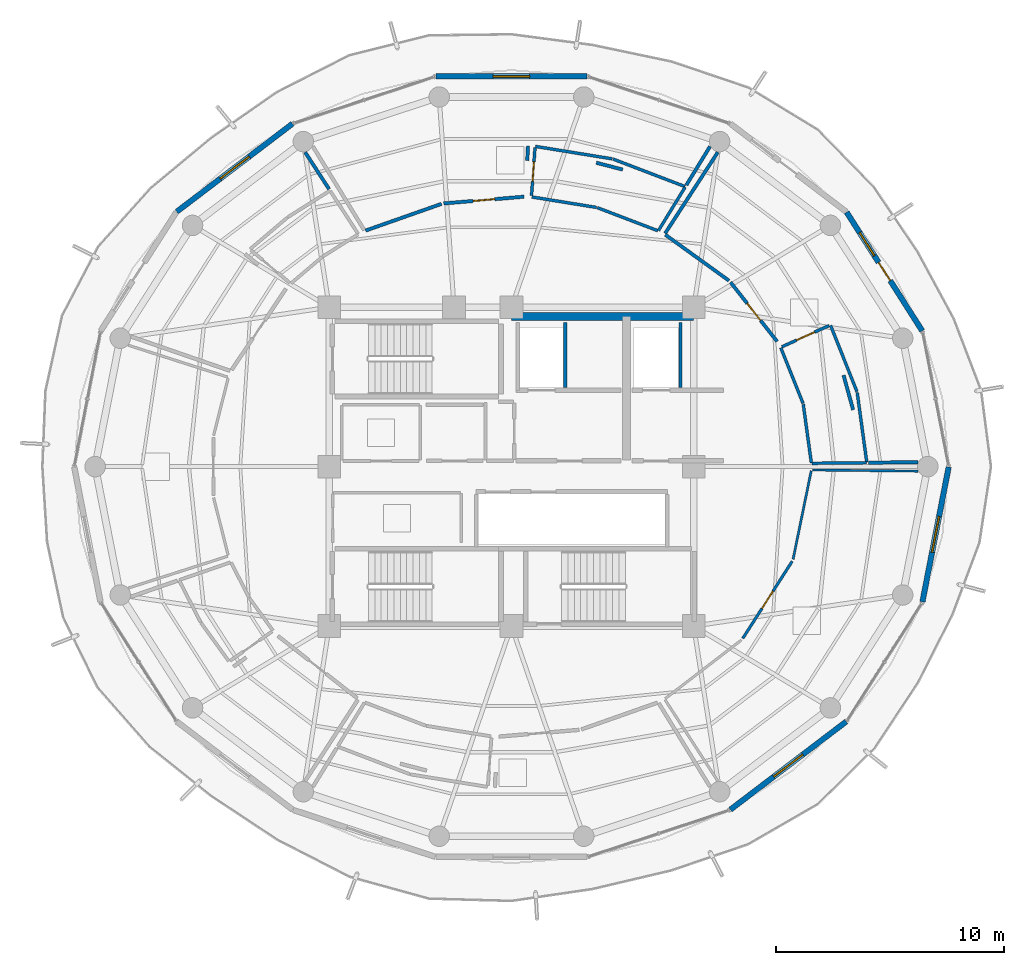
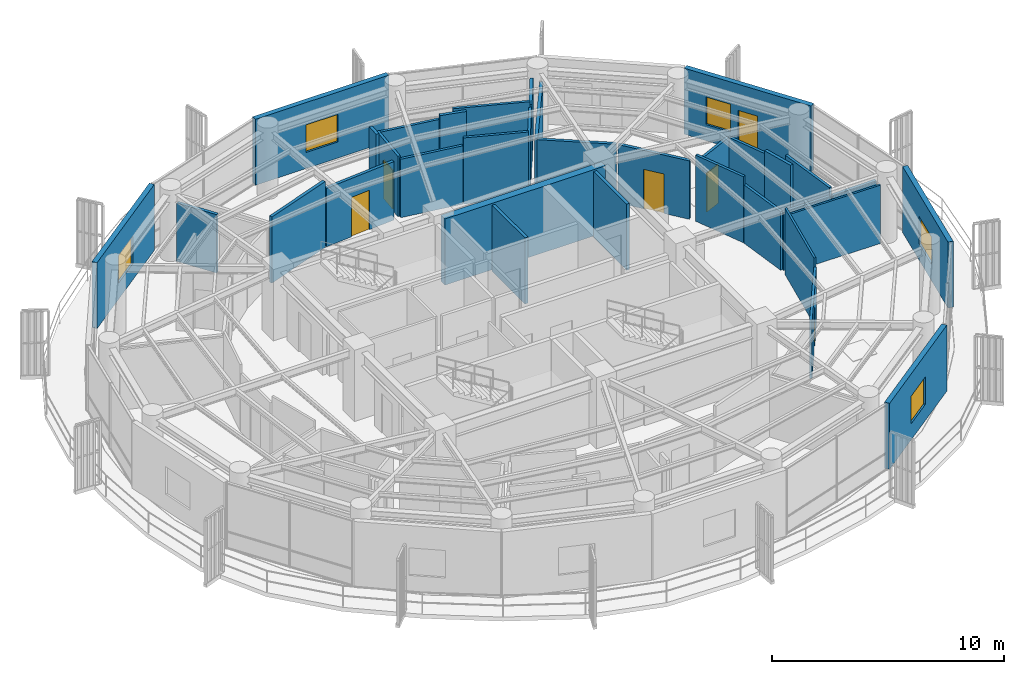
# One storey, part 18 of 23: 34 walls, 6 doors, 5 windows, 11 openings.
"""IFC4 building model written with IfcOpenShell, lengths in metres."""

from ifc_helpers import new_model, si_unit, direction, frame, frame_2d, origin, place, context, subcontext, project, spatial, rectangle, extrude, material, layer, layer_set, type_object, element, fill, save


model = new_model("IFC4")

# Units and contexts
model_context = context("Model", 3, precision=1e-05, world=origin(), true_north=direction((0.0, 1.0)))
body_context = subcontext(model_context, "Body", "Model", "MODEL_VIEW")
ifc_project = project(units=[si_unit("LENGTHUNIT", "METRE"), si_unit("AREAUNIT", "SQUARE_METRE"), si_unit("VOLUMEUNIT", "CUBIC_METRE"), si_unit("PLANEANGLEUNIT", "RADIAN"), si_unit("MASSUNIT", "GRAM", prefix="KILO")], contexts=[model_context])

# Site, building, storey
site_placement = place(None, origin())
site = spatial("IfcSite", under=ifc_project, at=site_placement, CompositionType="ELEMENT")
building_placement = place(site_placement, origin())
building = spatial("IfcBuilding", under=site, at=building_placement, Name="Kelanora Arch Commons", CompositionType="ELEMENT")
storey_placement = place(building_placement, frame((0.0, 0.0, 278.699951171875)))
storey = spatial("IfcBuildingStorey", under=building, at=storey_placement, Name="L71", CompositionType="ELEMENT", Elevation=278.699951171875)

# Walls
ifc_material_1 = material(Name="Autoclaved aerated concrete blockwork with fire plaster", Category="masonry")
ifc_layer_1 = layer(ifc_material_1, 0.14990234375)
ifc_layer_set_1 = layer_set([ifc_layer_1], Name="Autoclaved aerated concrete blockwork with fire plaster")
wall_type_1 = type_object("IfcWallType", Name="W-COMP-150", PredefinedType="PARTITIONING", material=ifc_layer_set_1)
for number, where, z_axis, x_axis, name in (
    (1, (76.360107421875, 61.47998046875, 0.0), (0.0, 0.0, 1.0), (0.0, 1.0, 0.0), "Firefighting Lift 1 East Shaft Wall L71"),
    (2, (81.419921875, 61.47998046875, 0.0), (0.0, 0.0, 1.0), (0.0, 1.0, 0.0), "Firefighting Lift 2 East Shaft Wall L71"),
):
    element("IfcWall", number, at=place(storey_placement, frame(where, z_axis=z_axis, x_axis=x_axis)), inside=storey, type_object=wall_type_1, Name=name, PredefinedType="PARTITIONING", context=body_context, shape_type="SweptSolid", body=[
        extrude(rectangle(XDim=2.840087890625, YDim=0.14990234375, at=frame_2d((1.419921875, 0.0))), origin(), (0.0, 0.0, 1.0), 3.47998046875),
    ])

# Wall, opening, door
wall_1_placement = place(storey_placement, frame((74.55322265625, 69.85205078125, 0.0), z_axis=(0.0, 0.0, 1.0), x_axis=(-0.996494196011, -0.083661922741, 0.0)))
wall_1 = element("IfcWall", 3, at=wall_1_placement, inside=storey, type_object=wall_type_1, Name="Co-Living Studio L71-01 Entry Partition", PredefinedType="PARTITIONING", context=body_context, shape_type="SweptSolid", body=[
    extrude(rectangle(XDim=3.539794921875, YDim=0.14990234375, at=frame_2d((1.77001953125, 0.0))), origin(), (0.0, 0.0, 1.0), 3.074951171875),
])
opening_1_placement = place(wall_1_placement, frame((1.294921875, 0.0, 0.0)))
opening_1 = element("IfcOpeningElement", 4, at=opening_1_placement, cuts=wall_1, Name="Opening D-CLU1", PredefinedType="OPENING", context=body_context, shape_type="SweptSolid", body=[
    extrude(rectangle(XDim=0.949951171875, YDim=2.080078125, at=frame_2d((0.47509765625, 1.0400390625))), frame((0.0, 0.0849609375, 0.0), z_axis=(0.0, -1.0, 0.0), x_axis=(1.0, 0.0, 0.0)), (0.0, 0.0, 1.0), 0.169921875),
])
ifc_material_2 = material(Name="Solid-core acoustic timber cluster entry fire door", Category="wood")
door_type_1 = type_object("IfcDoorType", Name="D-CLU-95", OperationType="NOTDEFINED", PredefinedType="DOOR", material=ifc_material_2)
door_1_placement = place(opening_1_placement, origin())
door_1 = element("IfcDoor", 5, at=door_1_placement, inside=storey, type_object=door_type_1, Name="Co-Living Studio L71-01 Door", OperationType="SINGLE_SWING_RIGHT", OverallHeight=2.080078125, OverallWidth=0.949951171875, PredefinedType="DOOR", context=body_context, shape_type="SweptSolid", body=[
    extrude(rectangle(XDim=0.949951171875, YDim=2.080078125, at=frame_2d((0.47509765625, 1.0400390625))), frame((0.0, 0.02490234375, 0.0), z_axis=(0.0, -1.0, 0.0), x_axis=(1.0, 0.0, 0.0)), (0.0, 0.0, 1.0), 0.050048828125),
])
fill(opening_1, door_1)

wall_2_placement = place(storey_placement, frame((85.662841796875, 63.497314453125, 0.0), z_axis=(0.0, 0.0, 1.0), x_axis=(-0.618216128683, 0.786008154052, 0.0)))
wall_2 = element("IfcWall", 6, at=wall_2_placement, inside=storey, type_object=wall_type_1, Name="Co-Living Studio L71-07 Entry Partition", PredefinedType="PARTITIONING", context=body_context, shape_type="SweptSolid", body=[
    extrude(rectangle(XDim=3.305908203125, YDim=0.14990234375, at=frame_2d((1.65283203125, 0.0))), origin(), (0.0, 0.0, 1.0), 3.074951171875),
])
opening_2_placement = place(wall_2_placement, frame((1.177978515625, 0.0, 0.0)))
opening_2 = element("IfcOpeningElement", 7, at=opening_2_placement, cuts=wall_2, Name="Opening D-CLU1", PredefinedType="OPENING", context=body_context, shape_type="SweptSolid", body=[
    extrude(rectangle(XDim=0.949951171875, YDim=2.080078125, at=frame_2d((0.47509765625, 1.0400390625))), frame((0.0, 0.0849609375, 0.0), z_axis=(0.0, -1.0, 0.0), x_axis=(1.0, 0.0, 0.0)), (0.0, 0.0, 1.0), 0.169921875),
])
door_2_placement = place(opening_2_placement, origin())
door_2 = element("IfcDoor", 8, at=door_2_placement, inside=storey, type_object=door_type_1, Name="Co-Living Studio L71-07 Door", OperationType="SINGLE_SWING_RIGHT", OverallHeight=2.080078125, OverallWidth=0.949951171875, PredefinedType="DOOR", context=body_context, shape_type="SweptSolid", body=[
    extrude(rectangle(XDim=0.949951171875, YDim=2.080078125, at=frame_2d((0.47509765625, 1.0400390625))), frame((0.0, 0.02490234375, 0.0), z_axis=(0.0, -1.0, 0.0), x_axis=(1.0, 0.0, 0.0)), (0.0, 0.0, 1.0), 0.050048828125),
])
fill(opening_2, door_2)

# Walls
wall_3_placement = place(storey_placement, frame((70.92822265625, 69.53759765625, 0.0), z_axis=(0.0, 0.0, 1.0), x_axis=(-0.943334007166, -0.331844769319, 0.0)))
element("IfcWall", 9, at=wall_3_placement, inside=storey, type_object=wall_type_1, Name="Co-Living Studio L71-01 Enclosure Partition 2", PredefinedType="PARTITIONING", context=body_context, shape_type="SweptSolid", body=[
    extrude(rectangle(XDim=3.535888671875, YDim=0.14990234375, at=frame_2d((1.76806640625, 0.0))), origin(), (0.0, 0.0, 1.0), 3.47998046875),
])
wall_4_placement = place(storey_placement, frame((82.717041015625, 72.055908203125, 0.0), z_axis=(0.0, 0.0, 1.0), x_axis=(-0.522809528722, -0.852449527349, 0.0)))
element("IfcWall", 10, at=wall_4_placement, inside=storey, type_object=wall_type_1, Name="Co-Living Studio L71-01 Enclosure Partition 6", PredefinedType="PARTITIONING", context=body_context, shape_type="SweptSolid", body=[
    extrude(rectangle(XDim=1.9892578125, YDim=0.14990234375, at=frame_2d((0.99462890625, 0.0))), origin(), (0.0, 0.0, 1.0), 3.235107421875),
])
wall_5_placement = place(storey_placement, frame((78.882568359375, 71.043701171875, 0.0), z_axis=(0.0, 0.0, 1.0), x_axis=(-0.968105115077, 0.250544379624, 0.0)))
element("IfcWall", 11, at=wall_5_placement, inside=storey, type_object=wall_type_1, Name="Co-Living Studio L71-01 Enclosure Partition 7", PredefinedType="PARTITIONING", context=body_context, shape_type="SweptSolid", body=[
    extrude(rectangle(XDim=1.196533203125, YDim=0.14990234375, at=frame_2d((0.59814453125, 0.0))), origin(), (0.0, 0.0, 1.0), 3.47998046875),
])
wall_6_placement = place(storey_placement, frame((74.72607421875, 72.0791015625, 0.0), z_axis=(0.0, 0.0, 1.0), x_axis=(-0.050992575405, -0.998699032368, 0.0)))
element("IfcWall", 12, at=wall_6_placement, inside=storey, type_object=wall_type_1, Name="Co-Living Studio L71-01 Enclosure Partition 8", PredefinedType="PARTITIONING", context=body_context, shape_type="SweptSolid", body=[
    extrude(rectangle(XDim=0.646240234375, YDim=0.14990234375, at=frame_2d((0.3232421875, 0.0))), origin(), (0.0, 0.0, 1.0), 3.47998046875),
])
wall_7_placement = place(storey_placement, frame((64.941650390625, 71.80419921875, 0.0), z_axis=(0.0, 0.0, 1.0), x_axis=(0.54428503198, -0.838900354013, 0.0)))
element("IfcWall", 13, at=wall_7_placement, inside=storey, type_object=wall_type_1, Name="Co-Living Studio L71-02 Enclosure Partition 5", PredefinedType="PARTITIONING", context=body_context, shape_type="SweptSolid", body=[
    extrude(rectangle(XDim=1.92822265625, YDim=0.14990234375, at=frame_2d((0.964111328125, 0.0))), origin(), (0.0, 0.0, 1.0), 3.074951171875),
])
wall_8_placement = place(storey_placement, frame((83.549560546875, 66.16650390625, 0.0), z_axis=(0.0, 0.0, 1.0), x_axis=(-0.810845521854, 0.585260232451, 0.0)))
element("IfcWall", 14, at=wall_8_placement, inside=storey, type_object=wall_type_1, Name="Co-Living Studio L71-07 Enclosure Partition 2", PredefinedType="PARTITIONING", context=body_context, shape_type="SweptSolid", body=[
    extrude(rectangle(XDim=3.44482421875, YDim=0.14990234375, at=frame_2d((1.722412109375, 0.0))), origin(), (0.0, 0.0, 1.0), 3.074951171875),
])
wall_9_placement = place(storey_placement, frame((80.745849609375, 68.239501953125, 0.0), z_axis=(0.0, 0.0, 1.0), x_axis=(0.544234825024, 0.838932926539, 0.0)))
element("IfcWall", 15, at=wall_9_placement, inside=storey, type_object=wall_type_1, Name="Co-Living Studio L71-07 Enclosure Partition 3", PredefinedType="PARTITIONING", context=body_context, shape_type="SweptSolid", body=[
    extrude(rectangle(XDim=4.2490234375, YDim=0.14990234375, at=frame_2d((2.12451171875, 0.0))), origin(), (0.0, 0.0, 1.0), 3.074951171875),
])
wall_10_placement = place(storey_placement, frame((91.847900390625, 58.197509765625, 0.0), z_axis=(0.0, 0.0, 1.0), x_axis=(-0.999937677283, -0.011164297964, 0.0)))
element("IfcWall", 16, at=wall_10_placement, inside=storey, type_object=wall_type_1, Name="Co-Living Studio L71-07 Enclosure Partition 6", PredefinedType="PARTITIONING", context=body_context, shape_type="SweptSolid", body=[
    extrude(rectangle(XDim=2.1650390625, YDim=0.14990234375, at=frame_2d((1.08251953125, 0.0))), origin(), (0.0, 0.0, 1.0), 3.074951171875),
])
wall_11_placement = place(storey_placement, frame((89.001953125, 60.492431640625, 0.0), z_axis=(0.0, 0.0, 1.0), x_axis=(-0.266469764124, 0.963843278136, 0.0)))
element("IfcWall", 17, at=wall_11_placement, inside=storey, type_object=wall_type_1, Name="Co-Living Studio L71-07 Enclosure Partition 7", PredefinedType="PARTITIONING", context=body_context, shape_type="SweptSolid", body=[
    extrude(rectangle(XDim=1.576904296875, YDim=0.14990234375, at=frame_2d((0.78857421875, 0.0))), origin(), (0.0, 0.0, 1.0), 3.47998046875),
])
ifc_material_3 = material(Name="Concrete C50/60", Category="concrete")
ifc_layer_2 = layer(ifc_material_3, 0.35009765625)
ifc_layer_set_2 = layer_set([ifc_layer_2], Name="Concrete C50/60")
wall_type_2 = type_object("IfcWallType", Name="W-CORE-350", PredefinedType="SHEAR", material=ifc_layer_set_2)
wall_12_placement = place(storey_placement, frame((74.0, 64.60009765625, 0.0), z_axis=(0.0, 0.0, 1.0), x_axis=(1.0, 0.0, 0.0)))
element("IfcWall", 18, at=wall_12_placement, inside=storey, type_object=wall_type_2, Name="Core Shear Spine L71-CN-E", PredefinedType="SHEAR", context=body_context, shape_type="SweptSolid", body=[
    extrude(rectangle(XDim=8.0, YDim=0.35009765625, at=frame_2d((4.0, 0.0))), origin(), (0.0, 0.0, 1.0), 3.489990234375),
])

# Wall, openings, door, window
ifc_material_4 = material(Name="Precast concrete C40/50 upper-zone terracotta rainscreen", Category="masonry")
ifc_layer_3 = layer(ifc_material_4, 0.239990234375)
ifc_layer_set_3 = layer_set([ifc_layer_3], Name="Precast concrete C40/50 upper-zone terracotta rainscreen")
wall_type_3 = type_object("IfcWallType", Name="W-EXT-TC2", PredefinedType="SOLIDWALL", material=ifc_layer_set_3)
wall_13_placement = place(storey_placement, frame((92.033935546875, 63.9638671875, 0.0), z_axis=(0.0, 0.0, 1.0), x_axis=(-0.537271968456, 0.843409053728, 0.0)))
wall_13 = element("IfcWall", 19, at=wall_13_placement, inside=storey, type_object=wall_type_3, Name="Terracotta Exterior Wall L71-B01", PredefinedType="SOLIDWALL", context=body_context, shape_type="SweptSolid", body=[
    extrude(rectangle(XDim=6.175048828125, YDim=0.239990234375, at=frame_2d((3.08740234375, 0.0))), origin(), (0.0, 0.0, 1.0), 3.47509765625),
])
opening_3_placement = place(wall_13_placement, frame((2.613037109375, 0.0, 0.0)))
opening_3 = element("IfcOpeningElement", 20, at=opening_3_placement, cuts=wall_13, Name="Opening DB-01", PredefinedType="OPENING", context=body_context, shape_type="SweptSolid", body=[
    extrude(rectangle(XDim=0.949951171875, YDim=2.10009765625, at=frame_2d((0.47509765625, 1.050048828125))), frame((0.0, 0.1298828125, 0.0), z_axis=(0.0, -1.0, 0.0), x_axis=(1.0, 0.0, 0.0)), (0.0, 0.0, 1.0), 0.260009765625),
])
opening_4_placement = place(wall_13_placement, frame((3.9130859375, 0.0, 0.85009765625)))
opening_4 = element("IfcOpeningElement", 21, at=opening_4_placement, cuts=wall_13, Name="Opening WN-02", PredefinedType="OPENING", context=body_context, shape_type="SweptSolid", body=[
    extrude(rectangle(XDim=1.199951171875, YDim=1.449951171875, at=frame_2d((0.60009765625, 0.72509765625))), frame((0.0, 0.1298828125, 0.0), z_axis=(0.0, -1.0, 0.0), x_axis=(1.0, 0.0, 0.0)), (0.0, 0.0, 1.0), 0.260009765625),
])
ifc_material_5 = material(Name="Terracotta-aluminium thermally broken glazed balcony door", Category="masonry")
door_type_2 = type_object("IfcDoorType", Name="D-BAL-10", OperationType="NOTDEFINED", PredefinedType="DOOR", material=ifc_material_5)
door_3_placement = place(opening_3_placement, frame((0.949951171875, 0.0, 0.0), z_axis=(0.0, 0.0, 1.0), x_axis=(-1.0, 0.0, 0.0)))
door_3 = element("IfcDoor", 22, at=door_3_placement, inside=storey, type_object=door_type_2, Name="Wave Balcony Door L71-B01", OperationType="SINGLE_SWING_LEFT", OverallHeight=2.10009765625, OverallWidth=0.949951171875, PredefinedType="DOOR", context=body_context, shape_type="SweptSolid", body=[
    extrude(rectangle(XDim=0.949951171875, YDim=2.10009765625, at=frame_2d((0.47509765625, 1.050048828125))), frame((0.0, 0.02490234375, 0.0), z_axis=(0.0, -1.0, 0.0), x_axis=(1.0, 0.0, 0.0)), (0.0, 0.0, 1.0), 0.050048828125),
])
fill(opening_3, door_3)
ifc_material_6 = material(Name="Terracotta-anodised aluminium frame with operable awning sash", Category="masonry")
window_type_1 = type_object("IfcWindowType", Name="WIN-CL-12", PartitioningType="SINGLE_PANEL", PredefinedType="WINDOW", material=ifc_material_6)
window_1_placement = place(opening_4_placement, origin())
window_1 = element("IfcWindow", 23, at=window_1_placement, inside=storey, type_object=window_type_1, Name="Co-Living Operable Window L71-B01", OverallHeight=1.449951171875, OverallWidth=1.199951171875, PartitioningType="SINGLE_PANEL", PredefinedType="WINDOW", context=body_context, shape_type="SweptSolid", body=[
    extrude(rectangle(XDim=1.199951171875, YDim=1.449951171875, at=frame_2d((0.60009765625, 0.72509765625))), frame((0.0, 0.030029296875, 0.0), z_axis=(0.0, -1.0, 0.0), x_axis=(1.0, 0.0, 0.0)), (0.0, 0.0, 1.0), 0.06005859375),
])
fill(opening_4, window_1)

# Wall, opening, window
wall_14_placement = place(storey_placement, frame((77.319091796875, 75.1357421875, 0.0), z_axis=(0.0, 0.0, 1.0), x_axis=(-1.0, 0.0, 0.0)))
wall_14 = element("IfcWall", 24, at=wall_14_placement, inside=storey, type_object=wall_type_3, Name="Terracotta Exterior Wall L71-B04", PredefinedType="SOLIDWALL", context=body_context, shape_type="SweptSolid", body=[
    extrude(rectangle(XDim=6.63818359375, YDim=0.239990234375, at=frame_2d((3.319091796875, 0.0))), origin(), (0.0, 0.0, 1.0), 3.47509765625),
])
opening_5_placement = place(wall_14_placement, frame((2.51904296875, 0.0, 0.85009765625)))
opening_5 = element("IfcOpeningElement", 25, at=opening_5_placement, cuts=wall_14, Name="Opening WN-01", PredefinedType="OPENING", context=body_context, shape_type="SweptSolid", body=[
    extrude(rectangle(XDim=1.60009765625, YDim=1.449951171875, at=frame_2d((0.800048828125, 0.72509765625))), frame((0.0, 0.1298828125, 0.0), z_axis=(0.0, -1.0, 0.0), x_axis=(1.0, 0.0, 0.0)), (0.0, 0.0, 1.0), 0.260009765625),
])
ifc_material_7 = material(Name="Terracotta-anodised aluminium frame with operable low-E glazing", Category="masonry")
window_type_2 = type_object("IfcWindowType", Name="WIN-CL-18", PartitioningType="DOUBLE_PANEL_VERTICAL", PredefinedType="WINDOW", material=ifc_material_7)
window_2_placement = place(opening_5_placement, origin())
window_2 = element("IfcWindow", 26, at=window_2_placement, inside=storey, type_object=window_type_2, Name="Co-Living Operable Window L71-B04", OverallHeight=1.449951171875, OverallWidth=1.60009765625, PartitioningType="SINGLE_PANEL", PredefinedType="WINDOW", context=body_context, shape_type="SweptSolid", body=[
    extrude(rectangle(XDim=1.60009765625, YDim=1.449951171875, at=frame_2d((0.800048828125, 0.72509765625))), frame((0.0, 0.030029296875, 0.0), z_axis=(0.0, -1.0, 0.0), x_axis=(1.0, 0.0, 0.0)), (0.0, 0.0, 1.0), 0.06005859375),
])
fill(opening_5, window_2)

wall_15_placement = place(storey_placement, frame((64.38818359375, 73.059814453125, 0.0), z_axis=(0.0, 0.0, 1.0), x_axis=(-0.796010444211, -0.605282886514, 0.0)))
wall_15 = element("IfcWall", 27, at=wall_15_placement, inside=storey, type_object=wall_type_3, Name="Terracotta Exterior Wall L71-B06", PredefinedType="SOLIDWALL", context=body_context, shape_type="SweptSolid", body=[
    extrude(rectangle(XDim=6.387451171875, YDim=0.239990234375, at=frame_2d((3.19384765625, 0.0))), origin(), (0.0, 0.0, 1.0), 3.47509765625),
])
opening_6_placement = place(wall_15_placement, frame((2.39404296875, 0.0, 0.85009765625)))
opening_6 = element("IfcOpeningElement", 28, at=opening_6_placement, cuts=wall_15, Name="Opening WN-01", PredefinedType="OPENING", context=body_context, shape_type="SweptSolid", body=[
    extrude(rectangle(XDim=1.60009765625, YDim=1.449951171875, at=frame_2d((0.800048828125, 0.72509765625))), frame((0.0, 0.1298828125, 0.0), z_axis=(0.0, -1.0, 0.0), x_axis=(1.0, 0.0, 0.0)), (0.0, 0.0, 1.0), 0.260009765625),
])
window_3_placement = place(opening_6_placement, origin())
window_3 = element("IfcWindow", 29, at=window_3_placement, inside=storey, type_object=window_type_2, Name="Co-Living Operable Window L71-B06", OverallHeight=1.449951171875, OverallWidth=1.60009765625, PartitioningType="SINGLE_PANEL", PredefinedType="WINDOW", context=body_context, shape_type="SweptSolid", body=[
    extrude(rectangle(XDim=1.60009765625, YDim=1.449951171875, at=frame_2d((0.800048828125, 0.72509765625))), frame((0.0, 0.030029296875, 0.0), z_axis=(0.0, -1.0, 0.0), x_axis=(1.0, 0.0, 0.0)), (0.0, 0.0, 1.0), 0.06005859375),
])
fill(opening_6, window_3)

wall_16_placement = place(storey_placement, frame((83.61181640625, 42.940185546875, 0.0), z_axis=(0.0, 0.0, 1.0), x_axis=(0.796010444211, 0.605282886514, 0.0)))
wall_16 = element("IfcWall", 30, at=wall_16_placement, inside=storey, type_object=wall_type_3, Name="Terracotta Exterior Wall L71-B15", PredefinedType="SOLIDWALL", context=body_context, shape_type="SweptSolid", body=[
    extrude(rectangle(XDim=6.387451171875, YDim=0.239990234375, at=frame_2d((3.19384765625, 0.0))), origin(), (0.0, 0.0, 1.0), 3.47509765625),
])
opening_7_placement = place(wall_16_placement, frame((2.39404296875, 0.0, 0.85009765625)))
opening_7 = element("IfcOpeningElement", 31, at=opening_7_placement, cuts=wall_16, Name="Opening WN-01", PredefinedType="OPENING", context=body_context, shape_type="SweptSolid", body=[
    extrude(rectangle(XDim=1.60009765625, YDim=1.449951171875, at=frame_2d((0.800048828125, 0.72509765625))), frame((0.0, 0.1298828125, 0.0), z_axis=(0.0, -1.0, 0.0), x_axis=(1.0, 0.0, 0.0)), (0.0, 0.0, 1.0), 0.260009765625),
])
window_4_placement = place(opening_7_placement, origin())
window_4 = element("IfcWindow", 32, at=window_4_placement, inside=storey, type_object=window_type_2, Name="Co-Living Operable Window L71-B15", OverallHeight=1.449951171875, OverallWidth=1.60009765625, PartitioningType="SINGLE_PANEL", PredefinedType="WINDOW", context=body_context, shape_type="SweptSolid", body=[
    extrude(rectangle(XDim=1.60009765625, YDim=1.449951171875, at=frame_2d((0.800048828125, 0.72509765625))), frame((0.0, 0.030029296875, 0.0), z_axis=(0.0, -1.0, 0.0), x_axis=(1.0, 0.0, 0.0)), (0.0, 0.0, 1.0), 0.06005859375),
])
fill(opening_7, window_4)

wall_17_placement = place(storey_placement, frame((92.044921875, 52.0634765625, 0.0), z_axis=(0.0, 0.0, 1.0), x_axis=(0.190969309115, 0.981596008028, 0.0)))
wall_17 = element("IfcWall", 33, at=wall_17_placement, inside=storey, type_object=wall_type_3, Name="Terracotta Exterior Wall L71-B17", PredefinedType="SOLIDWALL", context=body_context, shape_type="SweptSolid", body=[
    extrude(rectangle(XDim=6.032958984375, YDim=0.239990234375, at=frame_2d((3.0166015625, 0.0))), origin(), (0.0, 0.0, 1.0), 3.47509765625),
])
opening_8_placement = place(wall_17_placement, frame((2.216064453125, 0.0, 0.85009765625)))
opening_8 = element("IfcOpeningElement", 34, at=opening_8_placement, cuts=wall_17, Name="Opening WN-01", PredefinedType="OPENING", context=body_context, shape_type="SweptSolid", body=[
    extrude(rectangle(XDim=1.60009765625, YDim=1.449951171875, at=frame_2d((0.800048828125, 0.72509765625))), frame((0.0, 0.1298828125, 0.0), z_axis=(0.0, -1.0, 0.0), x_axis=(1.0, 0.0, 0.0)), (0.0, 0.0, 1.0), 0.260009765625),
])
window_5_placement = place(opening_8_placement, origin())
window_5 = element("IfcWindow", 35, at=window_5_placement, inside=storey, type_object=window_type_2, Name="Co-Living Operable Window L71-B17", OverallHeight=1.449951171875, OverallWidth=1.60009765625, PartitioningType="SINGLE_PANEL", PredefinedType="WINDOW", context=body_context, shape_type="SweptSolid", body=[
    extrude(rectangle(XDim=1.60009765625, YDim=1.449951171875, at=frame_2d((0.800048828125, 0.72509765625))), frame((0.0, 0.030029296875, 0.0), z_axis=(0.0, -1.0, 0.0), x_axis=(1.0, 0.0, 0.0)), (0.0, 0.0, 1.0), 0.06005859375),
])
fill(opening_8, window_5)

# Walls
ifc_material_8 = material(Name="Lightweight fire-rated acoustic stud partition")
ifc_layer_4 = layer(ifc_material_8, 0.10009765625)
ifc_layer_set_4 = layer_set([ifc_layer_4], Name="Lightweight fire-rated acoustic stud partition")
wall_type_4 = type_object("IfcWallType", Name="W-PART-100", PredefinedType="PARTITIONING", material=ifc_layer_set_4)
wall_18_placement = place(storey_placement, frame((86.364990234375, 53.93408203125, 0.0), z_axis=(0.0, 0.0, 1.0), x_axis=(0.200853183429, 0.979621354762, 0.0)))
element("IfcWall", 36, at=wall_18_placement, inside=storey, type_object=wall_type_4, Name="Quiet Seminar Study Room L71-06 Enclosure Partition 3", PredefinedType="PARTITIONING", context=body_context, shape_type="SweptSolid", body=[
    extrude(rectangle(XDim=3.962646484375, YDim=0.10009765625, at=frame_2d((1.9814453125, 0.0))), origin(), (0.0, 0.0, 1.0), 3.47998046875),
])
wall_19_placement = place(storey_placement, frame((87.208984375, 57.8544921875, 0.0), z_axis=(0.0, 0.0, 1.0), x_axis=(0.999937174585, -0.01120923205, 0.0)))
element("IfcWall", 37, at=wall_19_placement, inside=storey, type_object=wall_type_4, Name="Quiet Seminar Study Room L71-06 Enclosure Partition 4", PredefinedType="PARTITIONING", context=body_context, shape_type="SweptSolid", body=[
    extrude(rectangle(XDim=4.63916015625, YDim=0.10009765625, at=frame_2d((2.319580078125, 0.0))), origin(), (0.0, 0.0, 1.0), 3.074951171875),
])

# Wall, opening, door
ifc_material_9 = material(Name="Acoustic twin-stud fire-rated gypsum partition")
ifc_layer_5 = layer(ifc_material_9, 0.1201171875)
ifc_layer_set_5 = layer_set([ifc_layer_5], Name="Acoustic twin-stud fire-rated gypsum partition")
wall_type_5 = type_object("IfcWallType", Name="W-PART-120", PredefinedType="PARTITIONING", material=ifc_layer_set_5)
wall_20_placement = place(storey_placement, frame((84.155517578125, 50.45751953125, 0.0), z_axis=(0.0, 0.0, 1.0), x_axis=(0.539324099435, 0.842098281538, 0.0)))
wall_20 = element("IfcWall", 38, at=wall_20_placement, inside=storey, type_object=wall_type_5, Name="Quiet Seminar Study Room L71-06 Entry Partition", PredefinedType="PARTITIONING", context=body_context, shape_type="SweptSolid", body=[
    extrude(rectangle(XDim=4.02197265625, YDim=0.1201171875, at=frame_2d((2.010986328125, 0.0))), origin(), (0.0, 0.0, 1.0), 3.074951171875),
])
opening_9_placement = place(wall_20_placement, frame((1.56103515625, 0.0, 0.0)))
opening_9 = element("IfcOpeningElement", 39, at=opening_9_placement, cuts=wall_20, Name="Opening D-RM1", PredefinedType="OPENING", context=body_context, shape_type="SweptSolid", body=[
    extrude(rectangle(XDim=0.89990234375, YDim=2.080078125, at=frame_2d((0.449951171875, 1.0400390625))), frame((0.0, 0.070068359375, 0.0), z_axis=(0.0, -1.0, 0.0), x_axis=(1.0, 0.0, 0.0)), (0.0, 0.0, 1.0), 0.14013671875),
])
ifc_material_10 = material(Name="Acoustic fire-rated timber study and lounge door", Category="wood")
door_type_3 = type_object("IfcDoorType", Name="D-ROOM-90", OperationType="NOTDEFINED", PredefinedType="DOOR", material=ifc_material_10)
door_4_placement = place(opening_9_placement, origin())
door_4 = element("IfcDoor", 40, at=door_4_placement, inside=storey, type_object=door_type_3, Name="Quiet Seminar Study Room L71-06 Door", OperationType="SINGLE_SWING_RIGHT", OverallHeight=2.080078125, OverallWidth=0.89990234375, PredefinedType="DOOR", context=body_context, shape_type="SweptSolid", body=[
    extrude(rectangle(XDim=0.89990234375, YDim=2.080078125, at=frame_2d((0.449951171875, 1.0400390625))), frame((0.0, 0.02490234375, 0.0), z_axis=(0.0, -1.0, 0.0), x_axis=(1.0, 0.0, 0.0)), (0.0, 0.0, 1.0), 0.050048828125),
])
fill(opening_9, door_4)

ifc_material_11 = material(Name="Moisture-resistant fire-rated cement-board plumbing wall")
ifc_layer_6 = layer(ifc_material_11, 0.1298828125)
ifc_layer_set_6 = layer_set([ifc_layer_6], Name="Moisture-resistant fire-rated cement-board plumbing wall")
wall_type_6 = type_object("IfcWallType", Name="W-WET-120", PredefinedType="PLUMBINGWALL", material=ifc_layer_set_6)
wall_21_placement = place(storey_placement, frame((74.88037109375, 69.90380859375, 0.0), z_axis=(0.0, 0.0, 1.0), x_axis=(0.072837761138, 0.997343802584, 0.0)))
wall_21 = element("IfcWall", 41, at=wall_21_placement, inside=storey, type_object=wall_type_6, Name="En-Suite Shower WC L71-01 Entry Partition", PredefinedType="PLUMBINGWALL", context=body_context, shape_type="SweptSolid", body=[
    extrude(rectangle(XDim=2.10498046875, YDim=0.1298828125, at=frame_2d((1.052490234375, 0.0))), origin(), (0.0, 0.0, 1.0), 3.175048828125),
])
opening_10_placement = place(wall_21_placement, frame((0.6220703125, 0.0, 0.0)))
opening_10 = element("IfcOpeningElement", 42, at=opening_10_placement, cuts=wall_21, Name="Opening D-BT1", PredefinedType="OPENING", context=body_context, shape_type="SweptSolid", body=[
    extrude(rectangle(XDim=0.860107421875, YDim=2.050048828125, at=frame_2d((0.43017578125, 1.02490234375))), frame((0.0, 0.074951171875, 0.0), z_axis=(0.0, -1.0, 0.0), x_axis=(1.0, 0.0, 0.0)), (0.0, 0.0, 1.0), 0.14990234375),
])
ifc_material_12 = material(Name="Moisture-sealed fire-rated accessible bathroom door")
door_type_4 = type_object("IfcDoorType", Name="D-BATH-85", OperationType="NOTDEFINED", PredefinedType="DOOR", material=ifc_material_12)
door_5_placement = place(opening_10_placement, origin())
door_5 = element("IfcDoor", 43, at=door_5_placement, inside=storey, type_object=door_type_4, Name="En-Suite Shower WC L71-01 Door", OperationType="SINGLE_SWING_LEFT", OverallHeight=2.050048828125, OverallWidth=0.860107421875, PredefinedType="DOOR", context=body_context, shape_type="SweptSolid", body=[
    extrude(rectangle(XDim=0.860107421875, YDim=2.050048828125, at=frame_2d((0.43017578125, 1.02490234375))), frame((0.0, 0.02490234375, 0.0), z_axis=(0.0, -1.0, 0.0), x_axis=(1.0, 0.0, 0.0)), (0.0, 0.0, 1.0), 0.050048828125),
])
fill(opening_10, door_5)

wall_22_placement = place(storey_placement, frame((85.873779296875, 63.2626953125, 0.0), z_axis=(0.0, 0.0, 1.0), x_axis=(0.912228594958, 0.409681572127, 0.0)))
wall_22 = element("IfcWall", 44, at=wall_22_placement, inside=storey, type_object=wall_type_6, Name="En-Suite Shower WC L71-07 Entry Partition", PredefinedType="PLUMBINGWALL", context=body_context, shape_type="SweptSolid", body=[
    extrude(rectangle(XDim=2.274169921875, YDim=0.1298828125, at=frame_2d((1.13720703125, 0.0))), origin(), (0.0, 0.0, 1.0), 3.074951171875),
])
opening_11_placement = place(wall_22_placement, frame((0.70703125, 0.0, 0.0)))
opening_11 = element("IfcOpeningElement", 45, at=opening_11_placement, cuts=wall_22, Name="Opening D-BT1", PredefinedType="OPENING", context=body_context, shape_type="SweptSolid", body=[
    extrude(rectangle(XDim=0.860107421875, YDim=2.050048828125, at=frame_2d((0.43017578125, 1.02490234375))), frame((0.0, 0.074951171875, 0.0), z_axis=(0.0, -1.0, 0.0), x_axis=(1.0, 0.0, 0.0)), (0.0, 0.0, 1.0), 0.14990234375),
])
door_6_placement = place(opening_11_placement, origin())
door_6 = element("IfcDoor", 46, at=door_6_placement, inside=storey, type_object=door_type_4, Name="En-Suite Shower WC L71-07 Door", OperationType="SINGLE_SWING_LEFT", OverallHeight=2.050048828125, OverallWidth=0.860107421875, PredefinedType="DOOR", context=body_context, shape_type="SweptSolid", body=[
    extrude(rectangle(XDim=0.860107421875, YDim=2.050048828125, at=frame_2d((0.43017578125, 1.02490234375))), frame((0.0, 0.02490234375, 0.0), z_axis=(0.0, -1.0, 0.0), x_axis=(1.0, 0.0, 0.0)), (0.0, 0.0, 1.0), 0.050048828125),
])
fill(opening_11, door_6)

# Walls
wall_23_placement = place(storey_placement, frame((80.42626953125, 68.358154296875, 0.0), z_axis=(0.0, 0.0, 1.0), x_axis=(-0.934318832382, 0.35643838101, 0.0)))
element("IfcWall", 47, at=wall_23_placement, inside=storey, type_object=wall_type_6, Name="En-Suite Shower WC L71-01 Enclosure Partition 1", PredefinedType="PLUMBINGWALL", context=body_context, shape_type="SweptSolid", body=[
    extrude(rectangle(XDim=2.841064453125, YDim=0.1298828125, at=frame_2d((1.42041015625, 0.0))), origin(), (0.0, 0.0, 1.0), 3.47998046875),
])
wall_24_placement = place(storey_placement, frame((77.7333984375, 69.381103515625, 0.0), z_axis=(0.0, 0.0, 1.0), x_axis=(-0.987129766344, 0.159921306894, 0.0)))
element("IfcWall", 48, at=wall_24_placement, inside=storey, type_object=wall_type_6, Name="En-Suite Shower WC L71-01 Enclosure Partition 2", PredefinedType="PLUMBINGWALL", context=body_context, shape_type="SweptSolid", body=[
    extrude(rectangle(XDim=2.874755859375, YDim=0.1298828125, at=frame_2d((1.4375, 0.0))), origin(), (0.0, 0.0, 1.0), 3.074951171875),
])
wall_25_placement = place(storey_placement, frame((75.0576171875, 72.059814453125, 0.0), z_axis=(0.0, 0.0, 1.0), x_axis=(0.987096008114, -0.160129543701, 0.0)))
element("IfcWall", 49, at=wall_25_placement, inside=storey, type_object=wall_type_6, Name="En-Suite Shower WC L71-01 Enclosure Partition 4", PredefinedType="PLUMBINGWALL", context=body_context, shape_type="SweptSolid", body=[
    extrude(rectangle(XDim=3.41357421875, YDim=0.1298828125, at=frame_2d((1.706787109375, 0.0))), origin(), (0.0, 0.0, 1.0), 3.074951171875),
])
wall_26_placement = place(storey_placement, frame((78.4658203125, 71.5029296875, 0.0), z_axis=(0.0, 0.0, 1.0), x_axis=(0.934061774164, -0.357111470057, 0.0)))
element("IfcWall", 50, at=wall_26_placement, inside=storey, type_object=wall_type_6, Name="En-Suite Shower WC L71-01 Enclosure Partition 5", PredefinedType="PLUMBINGWALL", context=body_context, shape_type="SweptSolid", body=[
    extrude(rectangle(XDim=3.373779296875, YDim=0.1298828125, at=frame_2d((1.68701171875, 0.0))), origin(), (0.0, 0.0, 1.0), 3.47998046875),
])
wall_27_placement = place(storey_placement, frame((81.62548828125, 70.27392578125, 0.0), z_axis=(0.0, 0.0, 1.0), x_axis=(-0.523122555159, -0.852257468306, 0.0)))
element("IfcWall", 51, at=wall_27_placement, inside=storey, type_object=wall_type_6, Name="En-Suite Shower WC L71-01 Enclosure Partition 6", PredefinedType="PLUMBINGWALL", context=body_context, shape_type="SweptSolid", body=[
    extrude(rectangle(XDim=2.236328125, YDim=0.1298828125, at=frame_2d((1.1181640625, 0.0))), origin(), (0.0, 0.0, 1.0), 3.175048828125),
])
wall_28_placement = place(storey_placement, frame((87.166259765625, 58.164794921875, 0.0), z_axis=(0.0, 0.0, 1.0), x_axis=(-0.13640850471, 0.990652673667, 0.0)))
element("IfcWall", 52, at=wall_28_placement, inside=storey, type_object=wall_type_6, Name="En-Suite Shower WC L71-07 Enclosure Partition 1", PredefinedType="PLUMBINGWALL", context=body_context, shape_type="SweptSolid", body=[
    extrude(rectangle(XDim=2.5986328125, YDim=0.1298828125, at=frame_2d((1.29931640625, 0.0))), origin(), (0.0, 0.0, 1.0), 3.074951171875),
])
wall_29_placement = place(storey_placement, frame((86.801513671875, 60.777587890625, 0.0), z_axis=(0.0, 0.0, 1.0), x_axis=(-0.370846314423, 0.92869425059, 0.0)))
element("IfcWall", 53, at=wall_29_placement, inside=storey, type_object=wall_type_6, Name="En-Suite Shower WC L71-07 Enclosure Partition 2", PredefinedType="PLUMBINGWALL", context=body_context, shape_type="SweptSolid", body=[
    extrude(rectangle(XDim=2.62939453125, YDim=0.1298828125, at=frame_2d((1.314697265625, 0.0))), origin(), (0.0, 0.0, 1.0), 3.47998046875),
])
wall_30_placement = place(storey_placement, frame((88.010498046875, 64.200439453125, 0.0), z_axis=(0.0, 0.0, 1.0), x_axis=(0.370529396103, -0.928820739768, 0.0)))
element("IfcWall", 54, at=wall_30_placement, inside=storey, type_object=wall_type_6, Name="En-Suite Shower WC L71-07 Enclosure Partition 4", PredefinedType="PLUMBINGWALL", context=body_context, shape_type="SweptSolid", body=[
    extrude(rectangle(XDim=3.12841796875, YDim=0.1298828125, at=frame_2d((1.564208984375, 0.0))), origin(), (0.0, 0.0, 1.0), 3.074951171875),
])
wall_31_placement = place(storey_placement, frame((89.1796875, 61.256103515625, 0.0), z_axis=(0.0, 0.0, 1.0), x_axis=(0.13600432659, -0.990708243202, 0.0)))
element("IfcWall", 55, at=wall_31_placement, inside=storey, type_object=wall_type_6, Name="En-Suite Shower WC L71-07 Enclosure Partition 5", PredefinedType="PLUMBINGWALL", context=body_context, shape_type="SweptSolid", body=[
    extrude(rectangle(XDim=3.093017578125, YDim=0.1298828125, at=frame_2d((1.54638671875, 0.0))), origin(), (0.0, 0.0, 1.0), 3.47998046875),
])
wall_32_placement = place(storey_placement, frame((89.5830078125, 58.171875, 0.0), z_axis=(0.0, 0.0, 1.0), x_axis=(-0.999938226959, -0.011114956836, 0.0)))
element("IfcWall", 56, at=wall_32_placement, inside=storey, type_object=wall_type_6, Name="En-Suite Shower WC L71-07 Enclosure Partition 6", PredefinedType="PLUMBINGWALL", context=body_context, shape_type="SweptSolid", body=[
    extrude(rectangle(XDim=2.394287109375, YDim=0.1298828125, at=frame_2d((1.197265625, 0.0))), origin(), (0.0, 0.0, 1.0), 3.074951171875),
])

save(model, "model.ifc")
